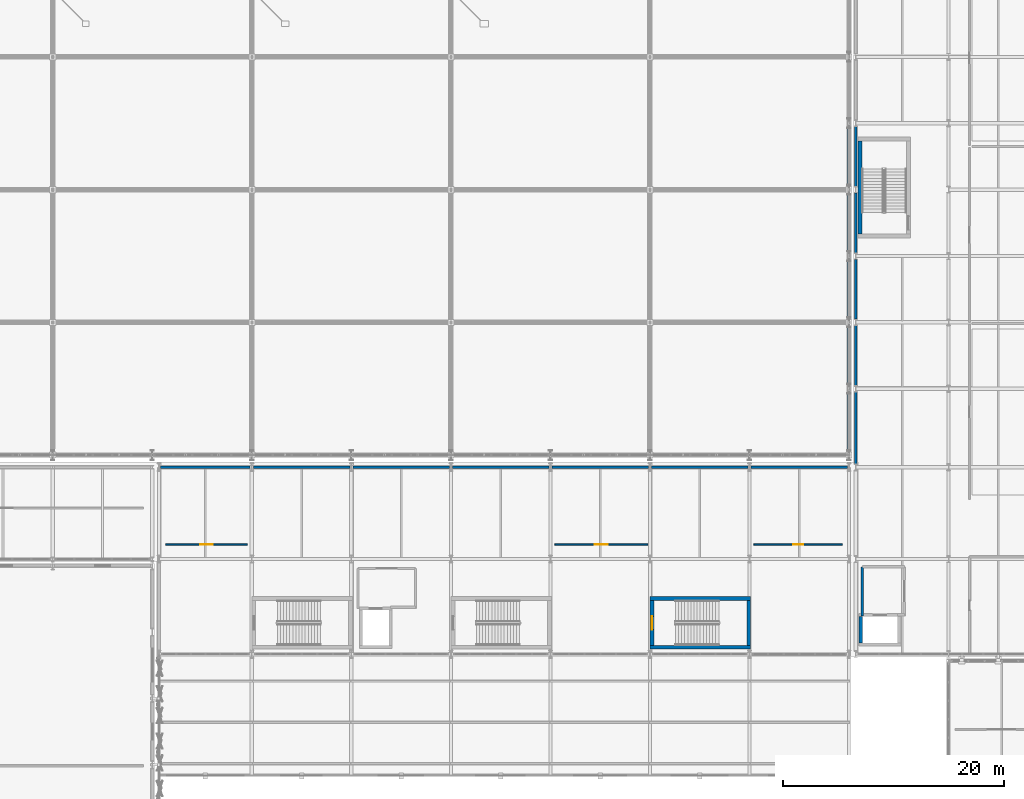
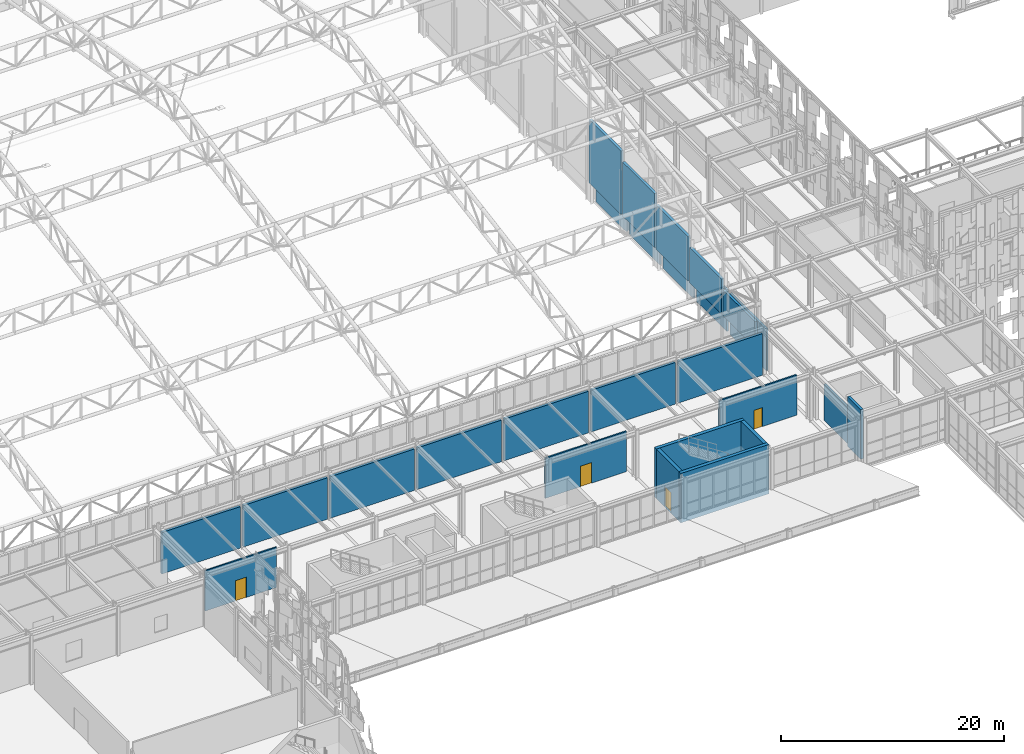
# One storey, part 202 of 239: 27 walls, 4 doors, 4 openings.
"""IFC4 building model written with IfcOpenShell, lengths in metres."""

from ifc_helpers import new_model, si_unit, direction, frame, frame_2d, origin, place, context, subcontext, project, spatial, rectangle, extrude, material, layer, layer_set, type_object, element, fill, save


model = new_model("IFC4")

# Units and contexts
model_context = context("Model", 3, precision=1e-05, world=origin(), true_north=direction((0.0, 1.0)))
body_context = subcontext(model_context, "Body", "Model", "MODEL_VIEW")
ifc_project = project(units=[si_unit("LENGTHUNIT", "METRE"), si_unit("AREAUNIT", "SQUARE_METRE"), si_unit("VOLUMEUNIT", "CUBIC_METRE"), si_unit("PLANEANGLEUNIT", "RADIAN"), si_unit("MASSUNIT", "GRAM", prefix="KILO")], contexts=[model_context])

# Site, building, storey
site_placement = place(None, origin())
site = spatial("IfcSite", under=ifc_project, at=site_placement, CompositionType="ELEMENT")
building_placement = place(site_placement, origin())
building = spatial("IfcBuilding", under=site, at=building_placement, Name="Kaldris Quays Convention Centre", CompositionType="ELEMENT")
storey_placement = place(building_placement, frame((0.0, 0.0, 11.39990234375)))
storey = spatial("IfcBuildingStorey", under=building, at=storey_placement, Name="L02", CompositionType="ELEMENT", Elevation=11.39990234375)

# Walls
ifc_material_1 = material(Name="Precast concrete C40/50", Category="concrete")
ifc_layer_1 = layer(ifc_material_1, 0.263916015625)
ifc_layer_set_1 = layer_set([ifc_layer_1], Name="Precast concrete C40/50")
wall_type_1 = type_object("IfcWallType", Name="EXTERIOR WALL EW04", PredefinedType="STANDARD", material=ifc_layer_set_1)
wall_1_placement = place(storey_placement, frame((83.74609375, 54.89990234375, 0.0), z_axis=(0.0, 0.0, 1.0), x_axis=(1.0, 0.0, 0.0)))
element("IfcWall", 1, at=wall_1_placement, inside=storey, type_object=wall_type_1, Name="L02 Exterior Wall EW04 247", PredefinedType="STANDARD", context=body_context, shape_type="SweptSolid", body=[
    extrude(rectangle(XDim=8.10791015625, YDim=0.263916015625, at=frame_2d((4.053955078125, 0.0))), origin(), (0.0, 0.0, 1.0), 4.548095703125),
])
for number, where, z_axis, x_axis, name in (
    (2, (92.14599609375, 54.89990234375, 0.0), (0.0, 0.0, 1.0), (1.0, 0.0, 0.0), "L02 Exterior Wall EW04 248"),
    (3, (101.14599609375, 54.89990234375, 0.0), (0.0, 0.0, 1.0), (1.0, 0.0, 0.0), "L02 Exterior Wall EW04 249"),
    (4, (110.14599609375, 54.89990234375, 0.0), (0.0, 0.0, 1.0), (1.0, 0.0, 0.0), "L02 Exterior Wall EW04 250"),
    (5, (119.14599609375, 54.89990234375, 0.0), (0.0, 0.0, 1.0), (1.0, 0.0, 0.0), "L02 Exterior Wall EW04 251"),
    (6, (128.14599609375, 54.89990234375, 0.0), (0.0, 0.0, 1.0), (1.0, 0.0, 0.0), "L02 Exterior Wall EW04 252"),
    (7, (137.14599609375, 54.89990234375, 0.0), (0.0, 0.0, 1.0), (1.0, 0.0, 0.0), "L02 Exterior Wall EW04 253"),
):
    element("IfcWall", number, at=place(storey_placement, frame(where, z_axis=z_axis, x_axis=x_axis)), inside=storey, type_object=wall_type_1, Name=name, PredefinedType="STANDARD", context=body_context, shape_type="SweptSolid", body=[
        extrude(rectangle(XDim=8.7080078125, YDim=0.263916015625, at=frame_2d((4.35400390625, 0.0))), origin(), (0.0, 0.0, 1.0), 4.548095703125),
    ])
wall_2_placement = place(storey_placement, frame((146.0, 56.139892578125, 2.195068359375), z_axis=(0.0, 0.0, 1.0), x_axis=(0.0, 1.0, 0.0)))
element("IfcWall", 8, at=wall_2_placement, inside=storey, type_object=wall_type_1, Name="L02 V1 East Gable Tympanum Wall 1", PredefinedType="STANDARD", context=body_context, shape_type="SweptSolid", body=[
    extrude(rectangle(XDim=5.72021484375, YDim=0.263916015625, at=frame_2d((2.860107421875, 0.0))), origin(), (0.0, 0.0, 1.0), 2.819091796875),
])
wall_3_placement = place(storey_placement, frame((146.0, 62.139892578125, 2.195068359375), z_axis=(0.0, 0.0, 1.0), x_axis=(0.0, 1.0, 0.0)))
element("IfcWall", 9, at=wall_3_placement, inside=storey, type_object=wall_type_1, Name="L02 V1 East Gable Tympanum Wall 2", PredefinedType="STANDARD", context=body_context, shape_type="SweptSolid", body=[
    extrude(rectangle(XDim=5.72021484375, YDim=0.263916015625, at=frame_2d((2.860107421875, 0.0))), origin(), (0.0, 0.0, 1.0), 3.84814453125),
])
wall_4_placement = place(storey_placement, frame((146.0, 68.139892578125, 2.195068359375), z_axis=(0.0, 0.0, 1.0), x_axis=(0.0, 1.0, 0.0)))
element("IfcWall", 10, at=wall_4_placement, inside=storey, type_object=wall_type_1, Name="L02 V1 East Gable Tympanum Wall 3", PredefinedType="STANDARD", context=body_context, shape_type="SweptSolid", body=[
    extrude(rectangle(XDim=5.72021484375, YDim=0.263916015625, at=frame_2d((2.860107421875, 0.0))), origin(), (0.0, 0.0, 1.0), 4.8759765625),
])
wall_5_placement = place(storey_placement, frame((146.0, 74.139892578125, 2.195068359375), z_axis=(0.0, 0.0, 1.0), x_axis=(0.0, 1.0, 0.0)))
element("IfcWall", 11, at=wall_5_placement, inside=storey, type_object=wall_type_1, Name="L02 V1 East Gable Tympanum Wall 4", PredefinedType="STANDARD", context=body_context, shape_type="SweptSolid", body=[
    extrude(rectangle(XDim=5.72021484375, YDim=0.263916015625, at=frame_2d((2.860107421875, 0.0))), origin(), (0.0, 0.0, 1.0), 5.905029296875),
])
wall_6_placement = place(storey_placement, frame((146.0, 80.139892578125, 2.195068359375), z_axis=(0.0, 0.0, 1.0), x_axis=(0.0, 1.0, 0.0)))
element("IfcWall", 12, at=wall_6_placement, inside=storey, type_object=wall_type_1, Name="L02 V1 East Gable Tympanum Wall 5", PredefinedType="STANDARD", context=body_context, shape_type="SweptSolid", body=[
    extrude(rectangle(XDim=5.72021484375, YDim=0.263916015625, at=frame_2d((2.860107421875, 0.0))), origin(), (0.0, 0.0, 1.0), 6.93408203125),
])
ifc_material_2 = material(Name="Anodized aluminium insulated cassette", Category="aluminium")
ifc_layer_2 = layer(ifc_material_2, 0.201904296875)
ifc_layer_set_2 = layer_set([ifc_layer_2], Name="Anodized aluminium insulated cassette")
wall_type_2 = type_object("IfcWallType", Name="EXTERIOR WALL EW07", PredefinedType="STANDARD", material=ifc_layer_set_2)
wall_7_placement = place(storey_placement, frame((146.60009765625, 55.196044921875, 0.0), z_axis=(0.0, 0.0, 1.0), x_axis=(0.0, 1.0, 0.0)))
element("IfcWall", 13, at=wall_7_placement, inside=storey, type_object=wall_type_2, Name="L02 Exterior Wall EW07 308", PredefinedType="STANDARD", context=body_context, shape_type="SweptSolid", body=[
    extrude(rectangle(XDim=6.508056640625, YDim=0.201904296875, at=frame_2d((3.25390625, 0.0))), origin(), (0.0, 0.0, 1.0), 4.548095703125),
])
for number, where, z_axis, x_axis, name in (
    (14, (146.60009765625, 62.2958984375, 0.0), (0.0, 0.0, 1.0), (0.0, 1.0, 0.0), "L02 Exterior Wall EW07 310"),
    (15, (146.60009765625, 68.2958984375, 0.0), (0.0, 0.0, 1.0), (0.0, 1.0, 0.0), "L02 Exterior Wall EW07 312"),
    (16, (146.60009765625, 74.2958984375, 0.0), (0.0, 0.0, 1.0), (0.0, 1.0, 0.0), "L02 Exterior Wall EW07 314"),
    (17, (146.60009765625, 80.2958984375, 0.0), (0.0, 0.0, 1.0), (0.0, 1.0, 0.0), "L02 Exterior Wall EW07 316"),
):
    element("IfcWall", number, at=place(storey_placement, frame(where, z_axis=z_axis, x_axis=x_axis)), inside=storey, type_object=wall_type_2, Name=name, PredefinedType="STANDARD", context=body_context, shape_type="SweptSolid", body=[
        extrude(rectangle(XDim=5.408203125, YDim=0.201904296875, at=frame_2d((2.7041015625, 0.0))), origin(), (0.0, 0.0, 1.0), 4.548095703125),
    ])
ifc_material_3 = material(Name="Concrete C35/45", Category="concrete")
ifc_layer_3 = layer(ifc_material_3, 0.199951171875)
ifc_layer_set_3 = layer_set([ifc_layer_3], Name="Concrete C35/45")
wall_type_3 = type_object("IfcWallType", Name="INTERIOR WALL IW01", PredefinedType="PARTITIONING", material=ifc_layer_set_3)
wall_8_placement = place(storey_placement, frame((147.199951171875, 41.449951171875, 0.0), z_axis=(0.0, 0.0, 1.0), x_axis=(0.0, 1.0, 0.0)))
element("IfcWall", 18, at=wall_8_placement, inside=storey, type_object=wall_type_3, Name="L02 Firefighting Lift Lobby FL02 Wall W", PredefinedType="PARTITIONING", context=body_context, shape_type="SweptSolid", body=[
    extrude(rectangle(XDim=4.449951171875, YDim=0.199951171875, at=frame_2d((2.22509765625, 0.0))), origin(), (0.0, 0.0, 1.0), 4.0),
])

# Wall, opening, door
ifc_material_4 = material(Name="Acoustic gypsum stud partition", Category="gypsum")
ifc_layer_4 = layer(ifc_material_4, 0.14794921875)
ifc_layer_set_4 = layer_set([ifc_layer_4], Name="Acoustic gypsum stud partition")
wall_type_4 = type_object("IfcWallType", Name="INTERIOR WALL IW04", PredefinedType="PARTITIONING", material=ifc_layer_set_4)
wall_9_placement = place(storey_placement, frame((84.199951171875, 47.89990234375, 0.0), z_axis=(0.0, 0.0, 1.0), x_axis=(1.0, 0.0, 0.0)))
wall_9 = element("IfcWall", 19, at=wall_9_placement, inside=storey, type_object=wall_type_4, Name="L02 Interior Wall IW04 87", PredefinedType="PARTITIONING", context=body_context, shape_type="SweptSolid", body=[
    extrude(rectangle(XDim=7.400146484375, YDim=0.14794921875, at=frame_2d((3.7001953125, 0.0))), origin(), (0.0, 0.0, 1.0), 4.400146484375),
])
opening_1_placement = place(wall_9_placement, frame((3.139892578125, 0.0, 0.0)))
opening_1 = element("IfcOpeningElement", 20, at=opening_1_placement, cuts=wall_9, Name="Opening ID06", PredefinedType="OPENING", context=body_context, shape_type="SweptSolid", body=[
    extrude(rectangle(XDim=1.1201171875, YDim=2.219970703125, at=frame_2d((0.56005859375, 1.10986328125))), frame((0.0, 0.083984375, 0.0), z_axis=(0.0, -1.0, 0.0), x_axis=(1.0, 0.0, 0.0)), (0.0, 0.0, 1.0), 0.16796875),
])
ifc_material_5 = material(Name="Timber acoustic leaf in steel frame", Category="steel")
door_type_1 = type_object("IfcDoorType", Name="INTERIOR DOOR ID06", OperationType="NOTDEFINED", PredefinedType="DOOR", material=ifc_material_5)
door_1_placement = place(opening_1_placement, origin())
door_1 = element("IfcDoor", 21, at=door_1_placement, inside=storey, type_object=door_type_1, Name="L02 Interior Door ID06 59", OperationType="SINGLE_SWING_RIGHT", OverallHeight=2.219970703125, OverallWidth=1.1201171875, PredefinedType="DOOR", context=body_context, shape_type="SweptSolid", body=[
    extrude(rectangle(XDim=1.1201171875, YDim=2.219970703125, at=frame_2d((0.56005859375, 1.10986328125))), frame((0.0, 0.02490234375, 0.0), z_axis=(0.0, -1.0, 0.0), x_axis=(1.0, 0.0, 0.0)), (0.0, 0.0, 1.0), 0.050048828125),
])
fill(opening_1, door_1)

wall_10_placement = place(storey_placement, frame((119.39990234375, 47.89990234375, 0.0), z_axis=(0.0, 0.0, 1.0), x_axis=(1.0, 0.0, 0.0)))
wall_10 = element("IfcWall", 22, at=wall_10_placement, inside=storey, type_object=wall_type_4, Name="L02 Interior Wall IW04 88", PredefinedType="PARTITIONING", context=body_context, shape_type="SweptSolid", body=[
    extrude(rectangle(XDim=8.400146484375, YDim=0.14794921875, at=frame_2d((4.2001953125, 0.0))), origin(), (0.0, 0.0, 1.0), 4.400146484375),
])
opening_2_placement = place(wall_10_placement, frame((3.610107421875, 0.0, 0.0)))
opening_2 = element("IfcOpeningElement", 23, at=opening_2_placement, cuts=wall_10, Name="Opening ID07", PredefinedType="OPENING", context=body_context, shape_type="SweptSolid", body=[
    extrude(rectangle(XDim=1.179931640625, YDim=2.25, at=frame_2d((0.58984375, 1.125))), frame((0.0, 0.083984375, 0.0), z_axis=(0.0, -1.0, 0.0), x_axis=(1.0, 0.0, 0.0)), (0.0, 0.0, 1.0), 0.16796875),
])
door_type_2 = type_object("IfcDoorType", Name="INTERIOR DOOR ID07", OperationType="NOTDEFINED", PredefinedType="DOOR", material=ifc_material_5)
door_2_placement = place(opening_2_placement, origin())
door_2 = element("IfcDoor", 24, at=door_2_placement, inside=storey, type_object=door_type_2, Name="L02 Interior Door ID07 60", OperationType="SINGLE_SWING_LEFT", OverallHeight=2.25, OverallWidth=1.179931640625, PredefinedType="DOOR", context=body_context, shape_type="SweptSolid", body=[
    extrude(rectangle(XDim=1.179931640625, YDim=2.25, at=frame_2d((0.58984375, 1.125))), frame((0.0, 0.02490234375, 0.0), z_axis=(0.0, -1.0, 0.0), x_axis=(1.0, 0.0, 0.0)), (0.0, 0.0, 1.0), 0.050048828125),
])
fill(opening_2, door_2)

wall_11_placement = place(storey_placement, frame((137.39990234375, 47.89990234375, 0.0), z_axis=(0.0, 0.0, 1.0), x_axis=(1.0, 0.0, 0.0)))
wall_11 = element("IfcWall", 25, at=wall_11_placement, inside=storey, type_object=wall_type_4, Name="L02 Interior Wall IW04 89", PredefinedType="PARTITIONING", context=body_context, shape_type="SweptSolid", body=[
    extrude(rectangle(XDim=8.0, YDim=0.14794921875, at=frame_2d((4.0, 0.0))), origin(), (0.0, 0.0, 1.0), 4.400146484375),
])
opening_3_placement = place(wall_11_placement, frame((3.550048828125, 0.0, 0.0)))
opening_3 = element("IfcOpeningElement", 26, at=opening_3_placement, cuts=wall_11, Name="Opening ID12", PredefinedType="OPENING", context=body_context, shape_type="SweptSolid", body=[
    extrude(rectangle(XDim=0.89990234375, YDim=2.080078125, at=frame_2d((0.449951171875, 1.0400390625))), frame((0.0, 0.083984375, 0.0), z_axis=(0.0, -1.0, 0.0), x_axis=(1.0, 0.0, 0.0)), (0.0, 0.0, 1.0), 0.16796875),
])
ifc_material_6 = material(Name="Moisture-resistant sanitary room door", Category="wood")
door_type_3 = type_object("IfcDoorType", Name="INTERIOR DOOR ID12", OperationType="NOTDEFINED", PredefinedType="DOOR", material=ifc_material_6)
door_3_placement = place(opening_3_placement, origin())
door_3 = element("IfcDoor", 27, at=door_3_placement, inside=storey, type_object=door_type_3, Name="L02 Interior Door ID12 61", OperationType="SINGLE_SWING_RIGHT", OverallHeight=2.080078125, OverallWidth=0.89990234375, PredefinedType="DOOR", context=body_context, shape_type="SweptSolid", body=[
    extrude(rectangle(XDim=0.89990234375, YDim=2.080078125, at=frame_2d((0.449951171875, 1.0400390625))), frame((0.0, 0.02490234375, 0.0), z_axis=(0.0, -1.0, 0.0), x_axis=(1.0, 0.0, 0.0)), (0.0, 0.0, 1.0), 0.050048828125),
])
fill(opening_3, door_3)

# Walls
ifc_material_7 = material(Name="Concrete C40/50", Category="concrete")
ifc_layer_5 = layer(ifc_material_7, 0.35009765625)
ifc_layer_set_5 = layer_set([ifc_layer_5], Name="Concrete C40/50")
wall_type_5 = type_object("IfcWallType", Name="STRUCTURAL WALL SW01", PredefinedType="SHEAR", material=ifc_layer_set_5)
for number, where, z_axis, x_axis, name in (
    (28, (128.0, 38.625, 0.0), (0.0, 0.0, 1.0), (1.0, 0.0, 0.0), "L02 Core Shear Wall CORE-ST12-L02-S"),
    (29, (128.0, 43.02490234375, 0.0), (0.0, 0.0, 1.0), (1.0, 0.0, 0.0), "L02 Core Shear Wall CORE-ST12-L02-N"),
):
    element("IfcWall", number, at=place(storey_placement, frame(where, z_axis=z_axis, x_axis=x_axis)), inside=storey, type_object=wall_type_5, Name=name, PredefinedType="SHEAR", context=body_context, shape_type="SweptSolid", body=[
        extrude(rectangle(XDim=9.10009765625, YDim=0.35009765625, at=frame_2d((4.550048828125, 0.0))), origin(), (0.0, 0.0, 1.0), 5.400146484375),
    ])

# Wall, opening, door
wall_12_placement = place(storey_placement, frame((128.175048828125, 38.800048828125, 0.0), z_axis=(0.0, 0.0, 1.0), x_axis=(0.0, 1.0, 0.0)))
wall_12 = element("IfcWall", 30, at=wall_12_placement, inside=storey, type_object=wall_type_5, Name="L02 Core Shear Wall CORE-ST12-L02-W", PredefinedType="SHEAR", context=body_context, shape_type="SweptSolid", body=[
    extrude(rectangle(XDim=4.050048828125, YDim=0.35009765625, at=frame_2d((2.02490234375, 0.0))), origin(), (0.0, 0.0, 1.0), 5.400146484375),
])
opening_4_placement = place(wall_12_placement, frame((1.425048828125, 0.0, 0.0)))
opening_4 = element("IfcOpeningElement", 31, at=opening_4_placement, cuts=wall_12, Name="Opening ID03", PredefinedType="OPENING", context=body_context, shape_type="SweptSolid", body=[
    extrude(rectangle(XDim=1.199951171875, YDim=2.199951171875, at=frame_2d((0.60009765625, 1.10009765625))), frame((0.0, 0.18505859375, 0.0), z_axis=(0.0, -1.0, 0.0), x_axis=(1.0, 0.0, 0.0)), (0.0, 0.0, 1.0), 0.3701171875),
])
ifc_material_8 = material(Name="Steel S355J2 fire-resisting door", Category="steel")
door_type_4 = type_object("IfcDoorType", Name="INTERIOR DOOR ID03", OperationType="NOTDEFINED", PredefinedType="DOOR", material=ifc_material_8)
door_4_placement = place(opening_4_placement, frame((1.199951171875, 0.0, 0.0), z_axis=(0.0, 0.0, 1.0), x_axis=(-1.0, 0.0, 0.0)))
door_4 = element("IfcDoor", 32, at=door_4_placement, inside=storey, type_object=door_type_4, Name="L02 Escape Stair ST12 Fire Door", OperationType="SINGLE_SWING_RIGHT", OverallHeight=2.199951171875, OverallWidth=1.199951171875, PredefinedType="DOOR", context=body_context, shape_type="SweptSolid", body=[
    extrude(rectangle(XDim=1.199951171875, YDim=2.199951171875, at=frame_2d((0.60009765625, 1.10009765625))), frame((0.0, 0.02490234375, 0.0), z_axis=(0.0, -1.0, 0.0), x_axis=(1.0, 0.0, 0.0)), (0.0, 0.0, 1.0), 0.050048828125),
])
fill(opening_4, door_4)

# Walls
wall_13_placement = place(storey_placement, frame((136.925048828125, 38.800048828125, 0.0), z_axis=(0.0, 0.0, 1.0), x_axis=(0.0, 1.0, 0.0)))
element("IfcWall", 33, at=wall_13_placement, inside=storey, type_object=wall_type_5, Name="L02 Core Shear Wall CORE-ST12-L02-E", PredefinedType="SHEAR", context=body_context, shape_type="SweptSolid", body=[
    extrude(rectangle(XDim=4.050048828125, YDim=0.35009765625, at=frame_2d((2.02490234375, 0.0))), origin(), (0.0, 0.0, 1.0), 5.400146484375),
])
wall_14_placement = place(storey_placement, frame((146.97509765625, 76.0, 0.0), z_axis=(0.0, 0.0, 1.0), x_axis=(0.0, 1.0, 0.0)))
element("IfcWall", 34, at=wall_14_placement, inside=storey, type_object=wall_type_5, Name="L02 Core Shear Wall CORE-ST14-L02-W", PredefinedType="SHEAR", context=body_context, shape_type="SweptSolid", body=[
    extrude(rectangle(XDim=8.39990234375, YDim=0.35009765625, at=frame_2d((4.199951171875, 0.0))), origin(), (0.0, 0.0, 1.0), 5.400146484375),
])
ifc_layer_6 = layer(ifc_material_7, 0.280029296875)
ifc_layer_set_6 = layer_set([ifc_layer_6], Name="Concrete C40/50")
wall_type_6 = type_object("IfcWallType", Name="STRUCTURAL WALL SW03", PredefinedType="SHEAR", material=ifc_layer_set_6)
wall_15_placement = place(storey_placement, frame((147.06005859375, 39.0, 0.0), z_axis=(0.0, 0.0, 1.0), x_axis=(0.0, 1.0, 0.0)))
element("IfcWall", 35, at=wall_15_placement, inside=storey, type_object=wall_type_6, Name="L02 Core Shear Wall LSHAFT-FL02-L02-W", PredefinedType="SHEAR", context=body_context, shape_type="SweptSolid", body=[
    extrude(rectangle(XDim=2.39990234375, YDim=0.280029296875, at=frame_2d((1.199951171875, 0.0))), origin(), (0.0, 0.0, 1.0), 5.400146484375),
])

save(model, "model.ifc")
